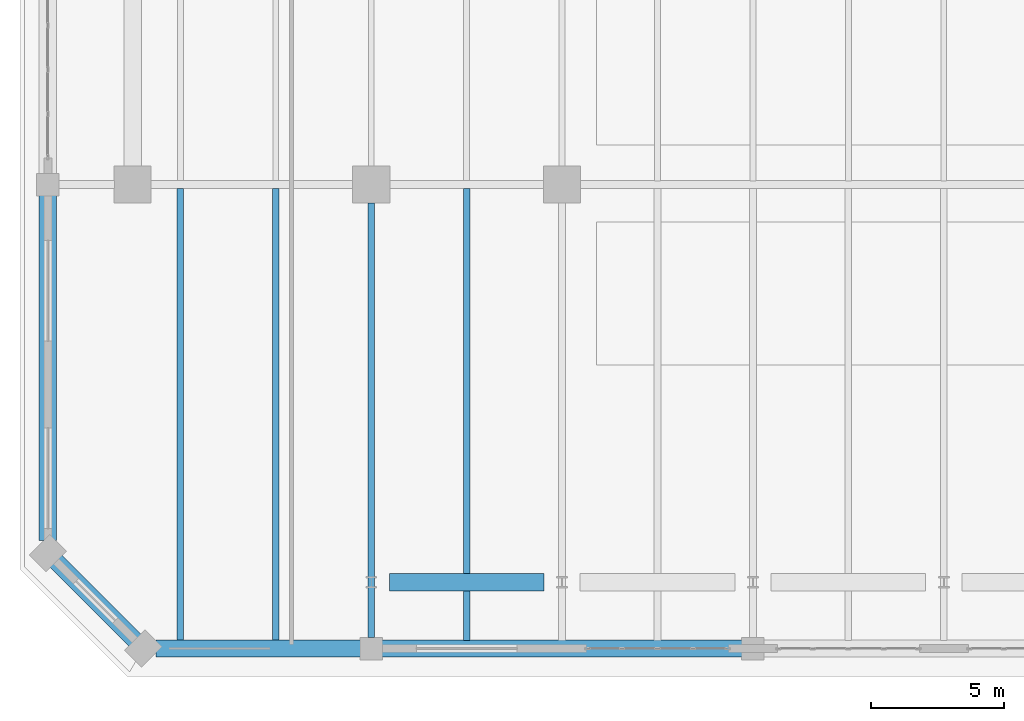
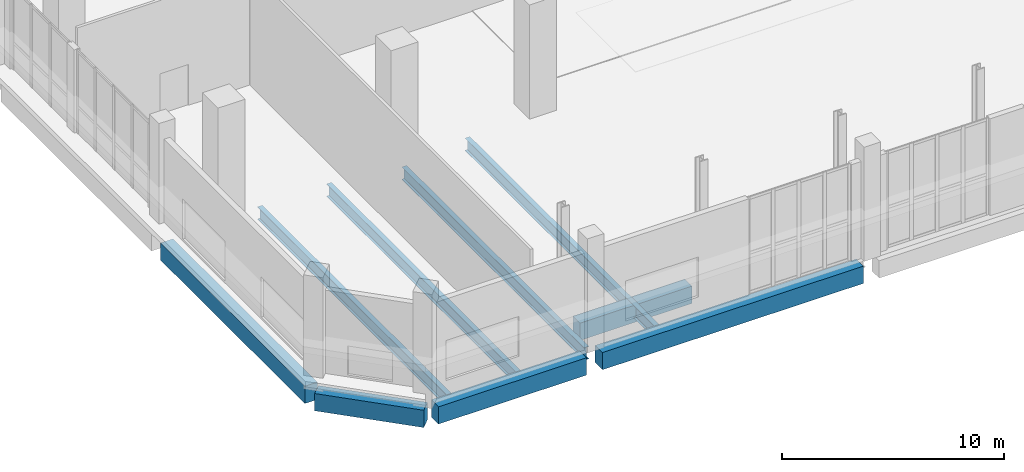
# One storey, part 4 of 29: 9 beams.
"""IFC4 building model written with IfcOpenShell, lengths in metres."""

import ifcopenshell
import ifcopenshell.guid

model = None  # the IFC model being written
_history = None  # IfcOwnerHistory: only IFC2X3 demands one
_inside = {}  # id of a spatial element -> (the spatial element, [elements in it])
_under = {}  # id of a project, library or spatial element -> (it, [spatial elements below it])
_declared = {}  # id of a project -> (the project, [libraries it declares])
_typed = {}  # id of a type object -> (the type object, [elements of that type])
_made_of = {}  # id of a material, layer set ... -> (it, [elements and type objects made of it])


def new_model(schema):
    """Start an empty IFC model of exactly this schema.

    Asked for "IFC4X3", IfcOpenShell would pick the latest addendum, in which some entities
    have other attributes; the version numbers below select the first issue.
    IFC2X3 requires an IfcOwnerHistory on every rooted entity: one is made here for all.
    """
    global model, _history
    if schema == "IFC4X3":
        model = ifcopenshell.file(schema_version=(4, 3, 0, 0))
    else:
        model = ifcopenshell.file(schema=schema)
    _inside.clear()
    _under.clear()
    _declared.clear()
    _typed.clear()
    _made_of.clear()
    _history = None
    if model.schema == "IFC2X3":
        org = make("IfcOrganization", Name="unknown")
        user = make(
            "IfcPersonAndOrganization",
            ThePerson=make("IfcPerson", FamilyName="unknown"),
            TheOrganization=org,
        )
        app = make(
            "IfcApplication",
            ApplicationDeveloper=org,
            Version="unknown",
            ApplicationFullName="unknown",
            ApplicationIdentifier="unknown",
        )
        _history = make(
            "IfcOwnerHistory",
            OwningUser=user,
            OwningApplication=app,
            ChangeAction="ADDED",
            CreationDate=0,
        )
    return model


def make(cls, **values):
    """One entity of the class cls with the attributes given. An attribute that is None is left unset."""
    return model.create_entity(
        cls, **{name: value for name, value in values.items() if value is not None}
    )


def rooted(cls, **values):
    """An entity with a GlobalId (a new one), such as an element, a storey or a relation."""
    return make(cls, GlobalId=ifcopenshell.guid.new(), OwnerHistory=_history, **values)


def si_unit(unit_type, name, prefix=None):
    """IfcSIUnit, for example si_unit("LENGTHUNIT", "METRE", prefix="MILLI")."""
    return make("IfcSIUnit", UnitType=unit_type, Prefix=prefix, Name=name)


def assignment(units):
    """IfcUnitAssignment: the units of a project."""
    return None if units is None else make("IfcUnitAssignment", Units=units)


def point(xyz):
    """IfcCartesianPoint."""
    return None if xyz is None else make("IfcCartesianPoint", Coordinates=xyz)


def direction(xyz):
    """IfcDirection."""
    return None if xyz is None else make("IfcDirection", DirectionRatios=xyz)


def frame(location, z_axis=None, x_axis=None):
    """IfcAxis2Placement3D, a coordinate frame: its origin and axes. An axis left out is left unset."""
    return make(
        "IfcAxis2Placement3D",
        Location=point(location),
        Axis=direction(z_axis),
        RefDirection=direction(x_axis),
    )


def frame_2d(location, x_axis=None):
    """IfcAxis2Placement2D, a coordinate frame in the plane: its origin and x axis."""
    return make(
        "IfcAxis2Placement2D", Location=point(location), RefDirection=direction(x_axis)
    )


def origin():
    """The frame at (0, 0, 0) with its axes left unset."""
    return frame((0.0, 0.0, 0.0))


def origin_2d():
    """The frame at (0, 0) in the plane with its x axis left unset."""
    return frame_2d((0.0, 0.0))


def place(relative_to, where):
    """IfcLocalPlacement: puts the frame where relative to a parent placement (None: the world)."""
    return make(
        "IfcLocalPlacement", PlacementRelTo=relative_to, RelativePlacement=where
    )


def context(
    kind, dimensions, precision=None, world=None, true_north=None, identifier=None
):
    """IfcGeometricRepresentationContext, for example the 3D "Model" context."""
    return make(
        "IfcGeometricRepresentationContext",
        ContextIdentifier=identifier,
        ContextType=kind,
        CoordinateSpaceDimension=dimensions,
        Precision=precision,
        WorldCoordinateSystem=world,
        TrueNorth=true_north,
    )


def subcontext(parent, identifier, kind, view, scale=None):
    """IfcGeometricRepresentationSubContext, for example "Body" below "Model"."""
    return make(
        "IfcGeometricRepresentationSubContext",
        ContextIdentifier=identifier,
        ContextType=kind,
        ParentContext=parent,
        TargetScale=scale,
        TargetView=view,
    )


def project(units=None, contexts=None):
    """IfcProject with its units and contexts."""
    return rooted(
        "IfcProject",
        Name="project",
        RepresentationContexts=contexts,
        UnitsInContext=assignment(units),
    )


def spatial(cls, under=None, at=None, **own):
    """A site, building, storey or space (cls), placed at a placement, below another one or the project."""
    s = rooted(cls, ObjectPlacement=at, **own)
    if under is not None:
        _under.setdefault(under.id(), (under, []))[1].append(s)
    return s


def profile(cls, at=None, kind="AREA", **sizes):
    """A parametric profile (cls). Its sizes go by their IFC names, for example OverallWidth=200.0."""
    return make(cls, ProfileType=kind, Position=at, **sizes)


def rectangle(**sizes):
    """IfcRectangleProfileDef."""
    return profile("IfcRectangleProfileDef", **sizes)


def i_section(**sizes):
    """IfcIShapeProfileDef."""
    return profile("IfcIShapeProfileDef", **sizes)


def extrude(swept, where, along, depth):
    """IfcExtrudedAreaSolid: the profile swept, set in the frame where, extruded along a direction by depth."""
    return make(
        "IfcExtrudedAreaSolid",
        SweptArea=swept,
        Position=where,
        ExtrudedDirection=direction(along),
        Depth=depth,
    )


def shape(context_of_items, identifier, shape_type, items):
    """IfcShapeRepresentation: the items that make up one representation, for example the "Body"."""
    return make(
        "IfcShapeRepresentation",
        ContextOfItems=context_of_items,
        RepresentationIdentifier=identifier,
        RepresentationType=shape_type,
        Items=items,
    )


def material(Name=None, Category=None):
    """IfcMaterial."""
    return make("IfcMaterial", Name=Name, Category=Category)


def material_profile(
    of_material, cross_section, Name=None, Category=None, Priority=None
):
    """IfcMaterialProfile: a cross section and its material."""
    return make(
        "IfcMaterialProfile",
        Name=Name,
        Material=of_material,
        Profile=cross_section,
        Priority=Priority,
        Category=Category,
    )


def profile_set(profiles, Name=None, composite=None):
    """IfcMaterialProfileSet."""
    return make(
        "IfcMaterialProfileSet",
        Name=Name,
        MaterialProfiles=profiles,
        CompositeProfile=composite,
    )


def made_of(thing, what):
    """Note that an element or type object is made of a material, layer set ...; save() writes the relation."""
    if what is not None:
        _made_of.setdefault(what.id(), (what, []))[1].append(thing)
    return thing


def type_object(cls, material=None, **own):
    """A type object (cls), such as IfcWallType, which elements share."""
    return made_of(rooted(cls, **own), material)


def element(
    cls,
    number,
    at=None,
    inside=None,
    cuts=None,
    type_object=None,
    material=None,
    context=None,
    identifier="Body",
    shape_type=None,
    held_by="IfcProductDefinitionShape",
    body=None,
    shapes=None,
    **own,
):
    """One element of the class cls, such as IfcWall. Its Tag is "e" and its number.

    at: its placement. inside: the storey or other place that contains it. cuts: it is an
    opening in that element (IfcRelVoidsElement). A single representation is given by context,
    identifier, shape_type and body (its items); several are given by shapes. held_by: the class
    of the entity that holds the representations. save() writes the other relations.
    """
    e = rooted(cls, Tag="e%d" % number, ObjectPlacement=at, **own)
    if body is not None:
        shapes = [shape(context, identifier, shape_type, body)]
    if shapes is not None:
        e.Representation = make(held_by, Representations=shapes)
    if inside is not None:
        _inside.setdefault(inside.id(), (inside, []))[1].append(e)
    if cuts is not None:
        rooted(
            "IfcRelVoidsElement", RelatingBuildingElement=cuts, RelatedOpeningElement=e
        )
    if type_object is not None:
        _typed.setdefault(type_object.id(), (type_object, []))[1].append(e)
    return made_of(e, material)


def aggregate(whole, parts):
    """IfcRelAggregates: a whole, such as a stair, and the parts it consists of."""
    return rooted("IfcRelAggregates", RelatingObject=whole, RelatedObjects=parts)


def save(model, path):
    """Write the relations noted so far, then the file.

    IfcRelAggregates (storeys below a building ...), IfcRelContainedInSpatialStructure (elements
    in a storey), IfcRelDefinesByType, IfcRelAssociatesMaterial and IfcRelDeclares: one each for
    every whole, place, type object, material and project.
    """
    for whole, parts in _under.values():
        aggregate(whole, parts)
    for where, things in _inside.values():
        rooted(
            "IfcRelContainedInSpatialStructure",
            RelatedElements=things,
            RelatingStructure=where,
        )
    for kind, things in _typed.values():
        rooted("IfcRelDefinesByType", RelatedObjects=things, RelatingType=kind)
    for what, things in _made_of.values():
        rooted("IfcRelAssociatesMaterial", RelatedObjects=things, RelatingMaterial=what)
    for by, libraries in _declared.values():
        rooted("IfcRelDeclares", RelatingContext=by, RelatedDefinitions=libraries)
    model.write(path)


model = new_model("IFC4")

# Units and contexts
model_context = context("Model", 3, precision=1e-05, world=origin(), true_north=direction((0.0, 1.0)))
body_context = subcontext(model_context, "Body", "Model", "MODEL_VIEW")
ifc_project = project(units=[si_unit("LENGTHUNIT", "METRE"), si_unit("AREAUNIT", "SQUARE_METRE"), si_unit("VOLUMEUNIT", "CUBIC_METRE"), si_unit("PLANEANGLEUNIT", "RADIAN"), si_unit("MASSUNIT", "GRAM", prefix="KILO")], contexts=[model_context])

# Site, building, storey
site_placement = place(None, origin())
site = spatial("IfcSite", under=ifc_project, at=site_placement, CompositionType="ELEMENT")
building_placement = place(site_placement, origin())
building = spatial("IfcBuilding", under=site, at=building_placement, Name="Kaelvorn Grand Hotel", CompositionType="ELEMENT")
storey_placement = place(building_placement, frame((0.0, 0.0, 19.39990234375)))
storey = spatial("IfcBuildingStorey", under=building, at=storey_placement, Name="L03", CompositionType="ELEMENT", Elevation=19.39990234375)

# Beams
ifc_material_1 = material(Name="Steel S355", Category="steel")
ifc_material_profile_1 = material_profile(ifc_material_1, i_section(OverallWidth=0.25439453125, OverallDepth=0.6875, WebThickness=0.01318359375, FlangeThickness=0.02099609375, FilletRadius=0.01513671875, at=origin_2d()), Name="UB 686x254x152")
ifc_profile_set_1 = profile_set([ifc_material_profile_1], Name="Steel S355")
beam_type_1 = type_object("IfcBeamType", Name="BM-J-UB686-S355", PredefinedType="JOIST", material=ifc_profile_set_1)
for number, where, z_axis, x_axis, name in (
    (1, (1.800048828125, -2.18994140625, -0.66357421875), (0.0, 1.0, 0.0), (-1.0, 0.0, 0.0), "L03 Composite Floor Joist JS-01"),
    (2, (5.39990234375, -2.18994140625, -0.66357421875), (0.0, 1.0, 0.0), (-1.0, 0.0, 0.0), "L03 Composite Floor Joist JS-02"),
):
    element("IfcBeam", number, at=place(storey_placement, frame(where, z_axis=z_axis, x_axis=x_axis)), inside=storey, type_object=beam_type_1, Name=name, PredefinedType="JOIST", context=body_context, shape_type="SweptSolid", body=[
        extrude(i_section(OverallWidth=0.25439453125, OverallDepth=0.6875, WebThickness=0.01318359375, FlangeThickness=0.02099609375, FilletRadius=0.01513671875, at=origin_2d()), origin(), (0.0, 0.0, 1.0), 17.05224609375),
    ])
beam_1_placement = place(storey_placement, frame((9.0, -2.090087890625, -0.66357421875), z_axis=(0.0, 1.0, 0.0), x_axis=(-1.0, 0.0, 0.0)))
element("IfcBeam", 3, at=beam_1_placement, inside=storey, type_object=beam_type_1, Name="L03 Composite Floor Joist JS-03", PredefinedType="JOIST", context=body_context, shape_type="SweptSolid", body=[
    extrude(i_section(OverallWidth=0.25439453125, OverallDepth=0.6875, WebThickness=0.01318359375, FlangeThickness=0.02099609375, FilletRadius=0.01513671875, at=origin_2d()), origin(), (0.0, 0.0, 1.0), 16.405029296875),
])
beam_2_placement = place(storey_placement, frame((12.60009765625, -2.18994140625, -0.66357421875), z_axis=(0.0, 1.0, 0.0), x_axis=(-1.0, 0.0, 0.0)))
element("IfcBeam", 4, at=beam_2_placement, inside=storey, type_object=beam_type_1, Name="L03 Composite Floor Joist JS-04", PredefinedType="JOIST", context=body_context, shape_type="SweptSolid", body=[
    extrude(i_section(OverallWidth=0.25439453125, OverallDepth=0.6875, WebThickness=0.01318359375, FlangeThickness=0.02099609375, FilletRadius=0.01513671875, at=origin_2d()), origin(), (0.0, 0.0, 1.0), 17.05224609375),
])
ifc_material_2 = material(Name="Concrete C60/75", Category="concrete")
ifc_material_profile_2 = material_profile(ifc_material_2, rectangle(XDim=0.64990234375, YDim=0.949951171875, at=origin_2d()), Name="RC SPANDREL 650x950")
ifc_profile_set_2 = profile_set([ifc_material_profile_2], Name="Concrete C60/75")
beam_type_2 = type_object("IfcBeamType", Name="BM-SP-650x950-C60", PredefinedType="SPANDREL", material=ifc_profile_set_2)
beam_3_placement = place(storey_placement, frame((0.885009765625, -2.5, -0.794921875), z_axis=(1.0, 0.0, 0.0), x_axis=(0.0, 1.0, 0.0)))
element("IfcBeam", 5, at=beam_3_placement, inside=storey, type_object=beam_type_2, Name="L03 South Perimeter Spandrel 01", PredefinedType="SPANDREL", context=body_context, shape_type="SweptSolid", body=[
    extrude(rectangle(XDim=0.64990234375, YDim=0.949951171875, at=origin_2d()), origin(), (0.0, 0.0, 1.0), 7.705078125),
])
beam_4_placement = place(storey_placement, frame((9.409912109375, -2.5, -0.794921875), z_axis=(1.0, 0.0, 0.0), x_axis=(0.0, 1.0, 0.0)))
element("IfcBeam", 6, at=beam_4_placement, inside=storey, type_object=beam_type_2, Name="L03 South Perimeter Spandrel 02", PredefinedType="SPANDREL", context=body_context, shape_type="SweptSolid", body=[
    extrude(rectangle(XDim=0.64990234375, YDim=0.949951171875, at=origin_2d()), origin(), (0.0, 0.0, 1.0), 13.580078125),
])
beam_5_placement = place(storey_placement, frame((-3.199951171875, 1.5849609375, -0.794921875), z_axis=(0.0, 1.0, 0.0), x_axis=(-1.0, 0.0, 0.0)))
element("IfcBeam", 7, at=beam_5_placement, inside=storey, type_object=beam_type_2, Name="L03 West Perimeter Spandrel 01", PredefinedType="SPANDREL", context=body_context, shape_type="SweptSolid", body=[
    extrude(rectangle(XDim=0.64990234375, YDim=0.949951171875, at=origin_2d()), origin(), (0.0, 0.0, 1.0), 13.005126953125),
])
beam_6_placement = place(storey_placement, frame((-3.199951171875, 1.10009765625, -0.794921875), z_axis=(0.707082803744, -0.707130757816, 0.0), x_axis=(0.707130757816, 0.707082803744, 0.0)))
element("IfcBeam", 8, at=beam_6_placement, inside=storey, type_object=beam_type_2, Name="L03 Chamfer Spandrel Beam 4", PredefinedType="SPANDREL", context=body_context, shape_type="SweptSolid", body=[
    extrude(rectangle(XDim=0.64990234375, YDim=0.949951171875, at=origin_2d()), origin(), (0.0, 0.0, 1.0), 5.091064453125),
])
beam_7_placement = place(storey_placement, frame((9.68505859375, 0.0, -0.794921875), z_axis=(1.0, 0.0, 0.0), x_axis=(0.0, 1.0, 0.0)))
element("IfcBeam", 9, at=beam_7_placement, inside=storey, type_object=beam_type_2, Name="L03 Tower Line South Girder 01", PredefinedType="SPANDREL", context=body_context, shape_type="SweptSolid", body=[
    extrude(rectangle(XDim=0.64990234375, YDim=0.949951171875, at=origin_2d()), origin(), (0.0, 0.0, 1.0), 5.829833984375),
])

save(model, "model.ifc")
